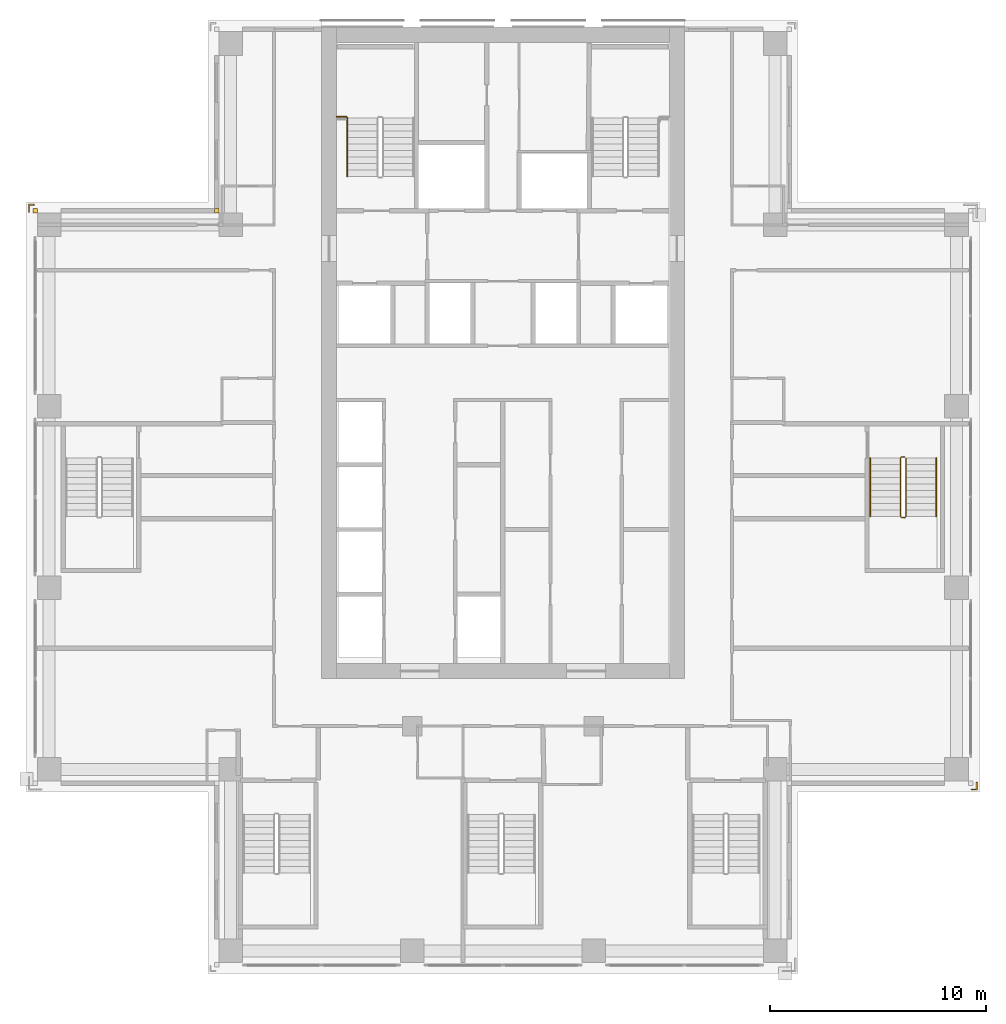
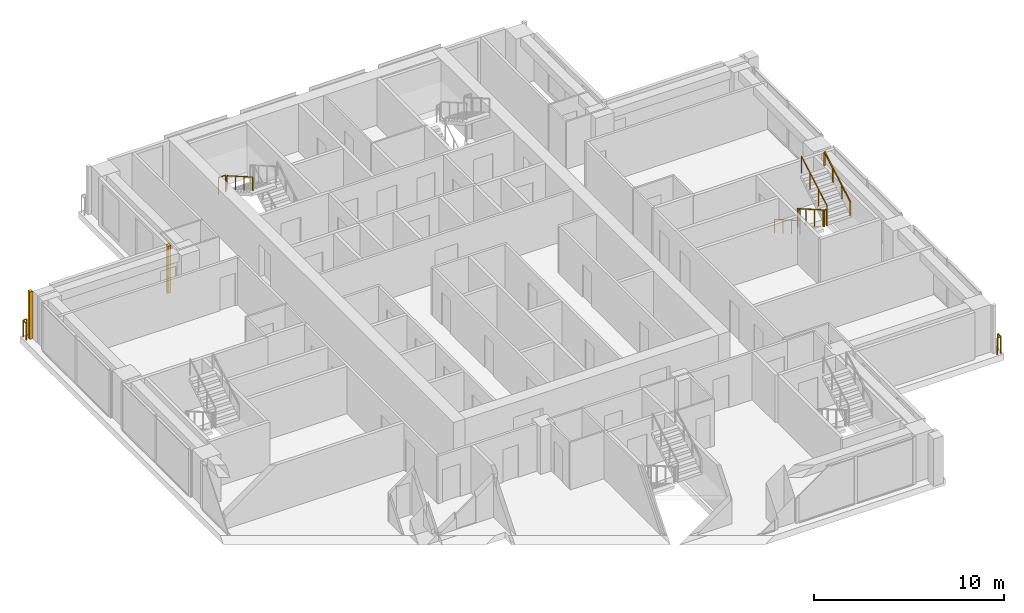
# One storey, part 15 of 16: 7 railings, 2 coverings.
"""IFC4 building model written with IfcOpenShell, lengths in metres."""

from ifc_helpers import new_model, si_unit, direction, frame, origin, origin_2d, place, context, subcontext, project, spatial, polyline, rectangle, outline, extrude, material, type_object, element, save


model = new_model("IFC4")

# Units and contexts
model_context = context("Model", 3, precision=1e-05, world=origin(), true_north=direction((0.0, 1.0)))
body_context = subcontext(model_context, "Body", "Model", "MODEL_VIEW")
ifc_project = project(units=[si_unit("LENGTHUNIT", "METRE"), si_unit("AREAUNIT", "SQUARE_METRE"), si_unit("VOLUMEUNIT", "CUBIC_METRE"), si_unit("PLANEANGLEUNIT", "RADIAN"), si_unit("MASSUNIT", "GRAM", prefix="KILO")], contexts=[model_context])

# Site, building, storey
site_placement = place(None, origin())
site = spatial("IfcSite", under=ifc_project, at=site_placement, CompositionType="ELEMENT")
building_placement = place(site_placement, origin())
building = spatial("IfcBuilding", under=site, at=building_placement, Name="Vermilion Ogive Tower", CompositionType="ELEMENT")
storey_placement = place(building_placement, frame((0.0, 0.0, 140.0)))
storey = spatial("IfcBuildingStorey", under=building, at=storey_placement, Name="L35", CompositionType="ELEMENT", Elevation=140.0)

# Railings
ifc_material_1 = material(Name="Stainless steel", Category="steel")
railing_type_1 = type_object("IfcRailingType", Name="Slab edge guard SG1", PredefinedType="GUARDRAIL", material=ifc_material_1)
railing_1_placement = place(storey_placement, frame((-21.929931640625, 13.199951171875, 0.0)))
element("IfcRailing", 1, at=railing_1_placement, inside=storey, type_object=railing_type_1, Name="L35 slab corner guard", PredefinedType="GUARDRAIL", context=body_context, shape_type="SweptSolid", body=[
    extrude(rectangle(XDim=0.050048828125, YDim=0.050048828125, at=origin_2d()), frame((0.0, 0.0, 1.0751953125), z_axis=(0.0, 1.0, 0.0), x_axis=(-1.0, 0.0, 0.0)), (0.0, 0.0, 1.0), 0.330078125),
    extrude(rectangle(XDim=0.050048828125, YDim=0.050048828125, at=origin_2d()), frame((0.0, 0.330078125, 1.0751953125), z_axis=(1.0, 0.0, 0.0), x_axis=(0.0, 1.0, 0.0)), (0.0, 0.0, 1.0), 0.22998046875),
    extrude(rectangle(XDim=0.050048828125, YDim=0.050048828125, at=origin_2d()), origin(), (0.0, 0.0, 1.0), 1.050048828125),
    extrude(rectangle(XDim=0.050048828125, YDim=0.050048828125, at=origin_2d()), frame((0.0, 0.330078125, 0.0)), (0.0, 0.0, 1.0), 1.050048828125),
    extrude(rectangle(XDim=0.050048828125, YDim=0.050048828125, at=origin_2d()), frame((0.22998046875, 0.330078125, 0.0)), (0.0, 0.0, 1.0), 1.050048828125),
])
railing_2_placement = place(storey_placement, frame((21.929931640625, -13.199951171875, 0.0)))
element("IfcRailing", 2, at=railing_2_placement, inside=storey, type_object=railing_type_1, Name="L35 slab corner guard", PredefinedType="GUARDRAIL", context=body_context, shape_type="SweptSolid", body=[
    extrude(rectangle(XDim=0.050048828125, YDim=0.050048828125, at=origin_2d()), frame((0.0, 0.0, 1.0751953125), z_axis=(0.0, -1.0, 0.0), x_axis=(1.0, 0.0, 0.0)), (0.0, 0.0, 1.0), 0.330078125),
    extrude(rectangle(XDim=0.050048828125, YDim=0.050048828125, at=origin_2d()), frame((0.0, -0.330078125, 1.0751953125), z_axis=(-1.0, 0.0, 0.0), x_axis=(0.0, -1.0, 0.0)), (0.0, 0.0, 1.0), 0.22998046875),
    extrude(rectangle(XDim=0.050048828125, YDim=0.050048828125, at=origin_2d()), origin(), (0.0, 0.0, 1.0), 1.050048828125),
    extrude(rectangle(XDim=0.050048828125, YDim=0.050048828125, at=origin_2d()), frame((0.0, -0.330078125, 0.0)), (0.0, 0.0, 1.0), 1.050048828125),
    extrude(rectangle(XDim=0.050048828125, YDim=0.050048828125, at=origin_2d()), frame((-0.22998046875, -0.330078125, 0.0)), (0.0, 0.0, 1.0), 1.050048828125),
])
ifc_material_2 = material(Name="Steel S355 painted", Category="steel")
railing_type_2 = type_object("IfcRailingType", Name="Stair guard 1100", PredefinedType="GUARDRAIL", material=ifc_material_2)
railing_3_placement = place(storey_placement, frame((18.60009765625, 1.85009765625, 0.0)))
element("IfcRailing", 3, at=railing_3_placement, inside=storey, type_object=railing_type_2, Name="L35 ST8 stair guard 4", PredefinedType="GUARDRAIL", context=body_context, shape_type="SweptSolid", body=[
    extrude(rectangle(XDim=0.048095703125, YDim=0.048095703125, at=origin_2d()), frame((0.0, 0.0, 1.076171875), z_axis=(-1.0, 0.0, 0.0), x_axis=(0.0, -1.0, 0.0)), (0.0, 0.0, 1.0), 0.150146484375),
    extrude(rectangle(XDim=0.048095703125, YDim=0.048095703125, at=origin_2d()), frame((-0.150146484375, 0.0, 1.076171875), z_axis=(-0.268277960024, -0.268277960024, 0.925231793839), x_axis=(0.707106781187, -0.707106781187, 0.0)), (0.0, 0.0, 1.0), 0.1865234375),
    extrude(rectangle(XDim=0.048095703125, YDim=0.048095703125, at=origin_2d()), frame((-0.2001953125, -0.050048828125, 1.24853515625), z_axis=(0.0, -0.866903762492, 0.498475542607), x_axis=(1.0, 0.0, 0.0)), (0.0, 0.0, 1.0), 3.114501953125),
    extrude(rectangle(XDim=0.048095703125, YDim=0.048095703125, at=origin_2d()), frame((-0.2001953125, -2.75, 2.80126953125), z_axis=(0.707106781187, -0.707106781187, 0.0), x_axis=(0.707106781187, 0.707106781187, 0.0)), (0.0, 0.0, 1.0), 0.07080078125),
    extrude(rectangle(XDim=0.048095703125, YDim=0.048095703125, at=origin_2d()), frame((-0.150146484375, -2.800048828125, 2.80126953125), z_axis=(1.0, 0.0, 0.0), x_axis=(0.0, 1.0, 0.0)), (0.0, 0.0, 1.0), 0.150146484375),
    extrude(rectangle(XDim=0.048095703125, YDim=0.048095703125, at=origin_2d()), frame((0.0, -2.800048828125, 2.80126953125), z_axis=(0.267386790225, 0.268697509785, 0.925368009307), x_axis=(-0.708833529934, 0.705375805398, 0.0)), (0.0, 0.0, 1.0), 0.186279296875),
    extrude(rectangle(XDim=0.048095703125, YDim=0.048095703125, at=origin_2d()), frame((0.0498046875, -2.75, 2.9736328125), z_axis=(0.0, 0.866903762492, 0.498475542607), x_axis=(-1.0, 0.0, 0.0)), (0.0, 0.0, 1.0), 3.114501953125),
    extrude(rectangle(XDim=0.0419921875, YDim=0.0419921875, at=origin_2d()), origin(), (0.0, 0.0, 1.0), 1.052001953125),
    extrude(rectangle(XDim=0.0419921875, YDim=0.0419921875, at=origin_2d()), frame((-0.150146484375, 0.0, 0.0)), (0.0, 0.0, 1.0), 1.052001953125),
    extrude(rectangle(XDim=0.0419921875, YDim=0.0419921875, at=origin_2d()), frame((-0.2001953125, -0.050048828125, 0.172607421875)), (0.0, 0.0, 1.0), 1.052001953125),
    extrude(rectangle(XDim=0.0419921875, YDim=0.0419921875, at=origin_2d()), frame((-0.2001953125, -0.949951171875, 0.690185546875)), (0.0, 0.0, 1.0), 1.052001953125),
    extrude(rectangle(XDim=0.0419921875, YDim=0.0419921875, at=origin_2d()), frame((-0.2001953125, -1.85009765625, 1.20751953125)), (0.0, 0.0, 1.0), 1.052001953125),
    extrude(rectangle(XDim=0.0419921875, YDim=0.0419921875, at=origin_2d()), frame((-0.2001953125, -2.75, 1.72509765625)), (0.0, 0.0, 1.0), 1.052001953125),
    extrude(rectangle(XDim=0.0419921875, YDim=0.0419921875, at=origin_2d()), frame((-0.150146484375, -2.800048828125, 1.72509765625)), (0.0, 0.0, 1.0), 1.052001953125),
    extrude(rectangle(XDim=0.0419921875, YDim=0.0419921875, at=origin_2d()), frame((0.0, -2.800048828125, 1.72509765625)), (0.0, 0.0, 1.0), 1.052001953125),
    extrude(rectangle(XDim=0.0419921875, YDim=0.0419921875, at=origin_2d()), frame((0.0498046875, -2.75, 1.8974609375)), (0.0, 0.0, 1.0), 1.052001953125),
    extrude(rectangle(XDim=0.0419921875, YDim=0.0419921875, at=origin_2d()), frame((0.0498046875, -1.85009765625, 2.4150390625)), (0.0, 0.0, 1.0), 1.052001953125),
    extrude(rectangle(XDim=0.0419921875, YDim=0.0419921875, at=origin_2d()), frame((0.0498046875, -0.949951171875, 2.932373046875)), (0.0, 0.0, 1.0), 1.052001953125),
    extrude(rectangle(XDim=0.0419921875, YDim=0.0419921875, at=origin_2d()), frame((0.0498046875, -0.050048828125, 3.449951171875)), (0.0, 0.0, 1.0), 1.052001953125),
])
railing_4_placement = place(storey_placement, frame((-7.699951171875, 17.60009765625, 1.72509765625)))
element("IfcRailing", 4, at=railing_4_placement, inside=storey, type_object=railing_type_2, Name="L35 landing guard", PredefinedType="GUARDRAIL", context=body_context, shape_type="SweptSolid", body=[
    extrude(rectangle(XDim=0.048095703125, YDim=0.048095703125, at=origin_2d()), frame((0.0, 0.0, 1.076171875), z_axis=(1.0, 0.0, 0.0), x_axis=(0.0, 1.0, 0.0)), (0.0, 0.0, 1.0), 0.449951171875),
    extrude(rectangle(XDim=0.0419921875, YDim=0.0419921875, at=origin_2d()), origin(), (0.0, 0.0, 1.0), 1.052001953125),
    extrude(rectangle(XDim=0.0419921875, YDim=0.0419921875, at=origin_2d()), frame((0.449951171875, 0.0, 0.0)), (0.0, 0.0, 1.0), 1.052001953125),
])
ifc_material_3 = material(Name="Stainless steel", Category="steel")
railing_type_3 = type_object("IfcRailingType", Name="Stair handrail 900", PredefinedType="HANDRAIL", material=ifc_material_3)
for number, where, name in (
    (5, (-7.199951171875, 17.550048828125, 1.8974609375), "L35 ST1 stair handrail 2"),
    (6, (17.0, 1.800048828125, 0.172607421875), "L35 ST8 stair handrail 1"),
):
    element("IfcRailing", number, at=place(storey_placement, frame(where)), inside=storey, type_object=railing_type_3, Name=name, PredefinedType="HANDRAIL", context=body_context, shape_type="SweptSolid", body=[
        extrude(rectangle(XDim=0.048095703125, YDim=0.048095703125, at=origin_2d()), frame((0.0, 0.0, 0.8759765625), z_axis=(0.0, -0.866903762492, 0.498475542607), x_axis=(1.0, 0.0, 0.0)), (0.0, 0.0, 1.0), 3.114501953125),
        extrude(rectangle(XDim=0.0419921875, YDim=0.0419921875, at=origin_2d()), origin(), (0.0, 0.0, 1.0), 0.851806640625),
        extrude(rectangle(XDim=0.0419921875, YDim=0.0419921875, at=origin_2d()), frame((0.0, -0.89990234375, 0.517578125)), (0.0, 0.0, 1.0), 0.851806640625),
        extrude(rectangle(XDim=0.0419921875, YDim=0.0419921875, at=origin_2d()), frame((0.0, -1.800048828125, 1.034912109375)), (0.0, 0.0, 1.0), 0.851806640625),
        extrude(rectangle(XDim=0.0419921875, YDim=0.0419921875, at=origin_2d()), frame((0.0, -2.699951171875, 1.552490234375)), (0.0, 0.0, 1.0), 0.851806640625),
    ])
railing_5_placement = place(storey_placement, frame((20.050048828125, -0.89990234375, 1.8974609375)))
element("IfcRailing", 7, at=railing_5_placement, inside=storey, type_object=railing_type_3, Name="L35 ST8 stair handrail 2", PredefinedType="HANDRAIL", context=body_context, shape_type="SweptSolid", body=[
    extrude(rectangle(XDim=0.048095703125, YDim=0.048095703125, at=origin_2d()), frame((0.0, 0.0, 0.8759765625), z_axis=(0.0, 0.866903762492, 0.498475542607), x_axis=(-1.0, 0.0, 0.0)), (0.0, 0.0, 1.0), 3.114501953125),
    extrude(rectangle(XDim=0.0419921875, YDim=0.0419921875, at=origin_2d()), origin(), (0.0, 0.0, 1.0), 0.851806640625),
    extrude(rectangle(XDim=0.0419921875, YDim=0.0419921875, at=origin_2d()), frame((0.0, 0.89990234375, 0.517578125)), (0.0, 0.0, 1.0), 0.851806640625),
    extrude(rectangle(XDim=0.0419921875, YDim=0.0419921875, at=origin_2d()), frame((0.0, 1.800048828125, 1.034912109375)), (0.0, 0.0, 1.0), 0.851806640625),
    extrude(rectangle(XDim=0.0419921875, YDim=0.0419921875, at=origin_2d()), frame((0.0, 2.699951171875, 1.552490234375)), (0.0, 0.0, 1.0), 0.851806640625),
])

# Coverings
ifc_material_4 = material(Name="Stone cladding", Category="masonry")
covering_type = type_object("IfcCoveringType", Name="Stone pier", PredefinedType="CLADDING", material=ifc_material_4)
covering_1_placement = place(storey_placement, origin())
element("IfcCovering", 8, at=covering_1_placement, inside=storey, type_object=covering_type, Name="Stone corner pier X5E1", PredefinedType="CLADDING", context=body_context, shape_type="SweptSolid", body=[
    extrude(outline(polyline([(-13.14990234375, 13.14990234375), (-13.35009765625, 13.14990234375), (-13.35009765625, 13.35009765625), (-13.14990234375, 13.35009765625), (-13.14990234375, 13.14990234375)])), origin(), (0.0, 0.0, 1.0), 3.050048828125),
])
covering_2_placement = place(storey_placement, origin())
element("IfcCovering", 9, at=covering_2_placement, inside=storey, type_object=covering_type, Name="Stone corner pier X6E1", PredefinedType="CLADDING", context=body_context, shape_type="SweptSolid", body=[
    extrude(outline(polyline([(-21.550048828125, 13.35009765625), (-21.550048828125, 13.14990234375), (-21.75, 13.14990234375), (-21.75, 13.35009765625), (-21.550048828125, 13.35009765625)])), origin(), (0.0, 0.0, 1.0), 3.050048828125),
])

save(model, "model.ifc")
